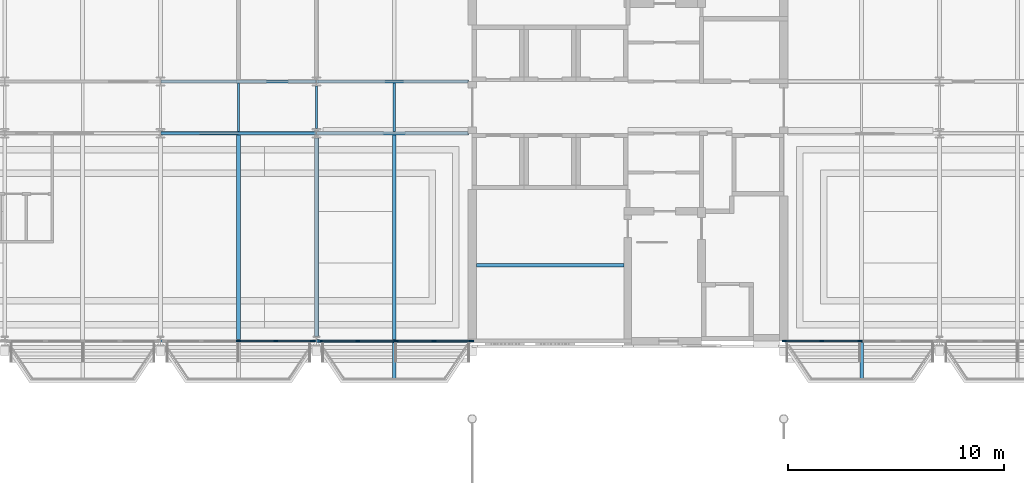
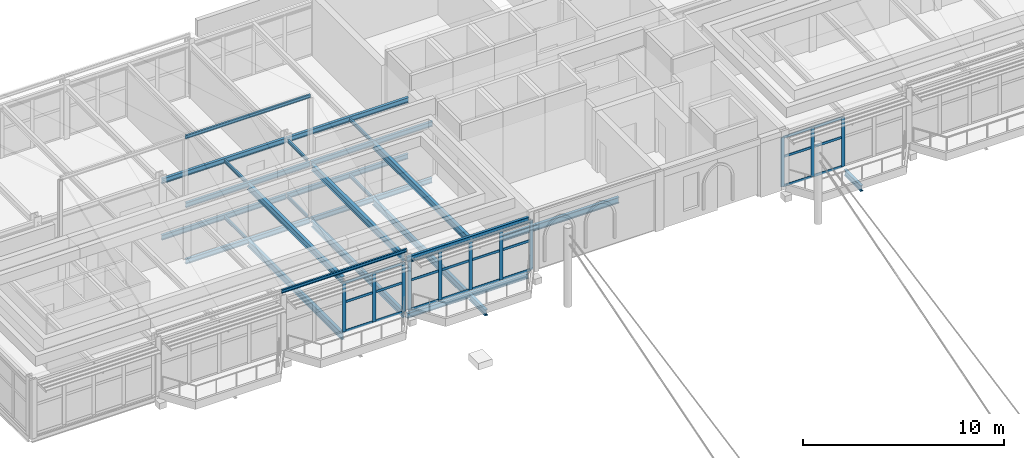
# One storey, part 31 of 68: 35 members, 27 beams, 3 elements without a shape of their own.
"""IFC4 building model written with IfcOpenShell, lengths in metres."""

import ifcopenshell
import ifcopenshell.guid

model = None  # the IFC model being written
_history = None  # IfcOwnerHistory: only IFC2X3 demands one
_inside = {}  # id of a spatial element -> (the spatial element, [elements in it])
_under = {}  # id of a project, library or spatial element -> (it, [spatial elements below it])
_declared = {}  # id of a project -> (the project, [libraries it declares])
_typed = {}  # id of a type object -> (the type object, [elements of that type])
_made_of = {}  # id of a material, layer set ... -> (it, [elements and type objects made of it])


def new_model(schema):
    """Start an empty IFC model of exactly this schema.

    Asked for "IFC4X3", IfcOpenShell would pick the latest addendum, in which some entities
    have other attributes; the version numbers below select the first issue.
    IFC2X3 requires an IfcOwnerHistory on every rooted entity: one is made here for all.
    """
    global model, _history
    if schema == "IFC4X3":
        model = ifcopenshell.file(schema_version=(4, 3, 0, 0))
    else:
        model = ifcopenshell.file(schema=schema)
    _inside.clear()
    _under.clear()
    _declared.clear()
    _typed.clear()
    _made_of.clear()
    _history = None
    if model.schema == "IFC2X3":
        org = make("IfcOrganization", Name="unknown")
        user = make(
            "IfcPersonAndOrganization",
            ThePerson=make("IfcPerson", FamilyName="unknown"),
            TheOrganization=org,
        )
        app = make(
            "IfcApplication",
            ApplicationDeveloper=org,
            Version="unknown",
            ApplicationFullName="unknown",
            ApplicationIdentifier="unknown",
        )
        _history = make(
            "IfcOwnerHistory",
            OwningUser=user,
            OwningApplication=app,
            ChangeAction="ADDED",
            CreationDate=0,
        )
    return model


def make(cls, **values):
    """One entity of the class cls with the attributes given. An attribute that is None is left unset."""
    return model.create_entity(
        cls, **{name: value for name, value in values.items() if value is not None}
    )


def rooted(cls, **values):
    """An entity with a GlobalId (a new one), such as an element, a storey or a relation."""
    return make(cls, GlobalId=ifcopenshell.guid.new(), OwnerHistory=_history, **values)


def si_unit(unit_type, name, prefix=None):
    """IfcSIUnit, for example si_unit("LENGTHUNIT", "METRE", prefix="MILLI")."""
    return make("IfcSIUnit", UnitType=unit_type, Prefix=prefix, Name=name)


def assignment(units):
    """IfcUnitAssignment: the units of a project."""
    return None if units is None else make("IfcUnitAssignment", Units=units)


def point(xyz):
    """IfcCartesianPoint."""
    return None if xyz is None else make("IfcCartesianPoint", Coordinates=xyz)


def direction(xyz):
    """IfcDirection."""
    return None if xyz is None else make("IfcDirection", DirectionRatios=xyz)


def frame(location, z_axis=None, x_axis=None):
    """IfcAxis2Placement3D, a coordinate frame: its origin and axes. An axis left out is left unset."""
    return make(
        "IfcAxis2Placement3D",
        Location=point(location),
        Axis=direction(z_axis),
        RefDirection=direction(x_axis),
    )


def frame_2d(location, x_axis=None):
    """IfcAxis2Placement2D, a coordinate frame in the plane: its origin and x axis."""
    return make(
        "IfcAxis2Placement2D", Location=point(location), RefDirection=direction(x_axis)
    )


def origin():
    """The frame at (0, 0, 0) with its axes left unset."""
    return frame((0.0, 0.0, 0.0))


def origin_2d():
    """The frame at (0, 0) in the plane with its x axis left unset."""
    return frame_2d((0.0, 0.0))


def place(relative_to, where):
    """IfcLocalPlacement: puts the frame where relative to a parent placement (None: the world)."""
    return make(
        "IfcLocalPlacement", PlacementRelTo=relative_to, RelativePlacement=where
    )


def context(
    kind, dimensions, precision=None, world=None, true_north=None, identifier=None
):
    """IfcGeometricRepresentationContext, for example the 3D "Model" context."""
    return make(
        "IfcGeometricRepresentationContext",
        ContextIdentifier=identifier,
        ContextType=kind,
        CoordinateSpaceDimension=dimensions,
        Precision=precision,
        WorldCoordinateSystem=world,
        TrueNorth=true_north,
    )


def subcontext(parent, identifier, kind, view, scale=None):
    """IfcGeometricRepresentationSubContext, for example "Body" below "Model"."""
    return make(
        "IfcGeometricRepresentationSubContext",
        ContextIdentifier=identifier,
        ContextType=kind,
        ParentContext=parent,
        TargetScale=scale,
        TargetView=view,
    )


def project(units=None, contexts=None):
    """IfcProject with its units and contexts."""
    return rooted(
        "IfcProject",
        Name="project",
        RepresentationContexts=contexts,
        UnitsInContext=assignment(units),
    )


def spatial(cls, under=None, at=None, **own):
    """A site, building, storey or space (cls), placed at a placement, below another one or the project."""
    s = rooted(cls, ObjectPlacement=at, **own)
    if under is not None:
        _under.setdefault(under.id(), (under, []))[1].append(s)
    return s


def profile(cls, at=None, kind="AREA", **sizes):
    """A parametric profile (cls). Its sizes go by their IFC names, for example OverallWidth=200.0."""
    return make(cls, ProfileType=kind, Position=at, **sizes)


def rectangle(**sizes):
    """IfcRectangleProfileDef."""
    return profile("IfcRectangleProfileDef", **sizes)


def i_section(**sizes):
    """IfcIShapeProfileDef."""
    return profile("IfcIShapeProfileDef", **sizes)


def extrude(swept, where, along, depth):
    """IfcExtrudedAreaSolid: the profile swept, set in the frame where, extruded along a direction by depth."""
    return make(
        "IfcExtrudedAreaSolid",
        SweptArea=swept,
        Position=where,
        ExtrudedDirection=direction(along),
        Depth=depth,
    )


def shape(context_of_items, identifier, shape_type, items):
    """IfcShapeRepresentation: the items that make up one representation, for example the "Body"."""
    return make(
        "IfcShapeRepresentation",
        ContextOfItems=context_of_items,
        RepresentationIdentifier=identifier,
        RepresentationType=shape_type,
        Items=items,
    )


def material(Name=None, Category=None):
    """IfcMaterial."""
    return make("IfcMaterial", Name=Name, Category=Category)


def material_profile(
    of_material, cross_section, Name=None, Category=None, Priority=None
):
    """IfcMaterialProfile: a cross section and its material."""
    return make(
        "IfcMaterialProfile",
        Name=Name,
        Material=of_material,
        Profile=cross_section,
        Priority=Priority,
        Category=Category,
    )


def profile_set(profiles, Name=None, composite=None):
    """IfcMaterialProfileSet."""
    return make(
        "IfcMaterialProfileSet",
        Name=Name,
        MaterialProfiles=profiles,
        CompositeProfile=composite,
    )


def made_of(thing, what):
    """Note that an element or type object is made of a material, layer set ...; save() writes the relation."""
    if what is not None:
        _made_of.setdefault(what.id(), (what, []))[1].append(thing)
    return thing


def type_object(cls, material=None, **own):
    """A type object (cls), such as IfcWallType, which elements share."""
    return made_of(rooted(cls, **own), material)


def element(
    cls,
    number,
    at=None,
    inside=None,
    cuts=None,
    type_object=None,
    material=None,
    context=None,
    identifier="Body",
    shape_type=None,
    held_by="IfcProductDefinitionShape",
    body=None,
    shapes=None,
    **own,
):
    """One element of the class cls, such as IfcWall. Its Tag is "e" and its number.

    at: its placement. inside: the storey or other place that contains it. cuts: it is an
    opening in that element (IfcRelVoidsElement). A single representation is given by context,
    identifier, shape_type and body (its items); several are given by shapes. held_by: the class
    of the entity that holds the representations. save() writes the other relations.
    """
    e = rooted(cls, Tag="e%d" % number, ObjectPlacement=at, **own)
    if body is not None:
        shapes = [shape(context, identifier, shape_type, body)]
    if shapes is not None:
        e.Representation = make(held_by, Representations=shapes)
    if inside is not None:
        _inside.setdefault(inside.id(), (inside, []))[1].append(e)
    if cuts is not None:
        rooted(
            "IfcRelVoidsElement", RelatingBuildingElement=cuts, RelatedOpeningElement=e
        )
    if type_object is not None:
        _typed.setdefault(type_object.id(), (type_object, []))[1].append(e)
    return made_of(e, material)


def aggregate(whole, parts):
    """IfcRelAggregates: a whole, such as a stair, and the parts it consists of."""
    return rooted("IfcRelAggregates", RelatingObject=whole, RelatedObjects=parts)


def save(model, path):
    """Write the relations noted so far, then the file.

    IfcRelAggregates (storeys below a building ...), IfcRelContainedInSpatialStructure (elements
    in a storey), IfcRelDefinesByType, IfcRelAssociatesMaterial and IfcRelDeclares: one each for
    every whole, place, type object, material and project.
    """
    for whole, parts in _under.values():
        aggregate(whole, parts)
    for where, things in _inside.values():
        rooted(
            "IfcRelContainedInSpatialStructure",
            RelatedElements=things,
            RelatingStructure=where,
        )
    for kind, things in _typed.values():
        rooted("IfcRelDefinesByType", RelatedObjects=things, RelatingType=kind)
    for what, things in _made_of.values():
        rooted("IfcRelAssociatesMaterial", RelatedObjects=things, RelatingMaterial=what)
    for by, libraries in _declared.values():
        rooted("IfcRelDeclares", RelatingContext=by, RelatedDefinitions=libraries)
    model.write(path)


model = new_model("IFC4")

# Units and contexts
model_context = context("Model", 3, precision=1e-05, world=origin(), true_north=direction((0.0, 1.0)))
body_context = subcontext(model_context, "Body", "Model", "MODEL_VIEW")
ifc_project = project(units=[si_unit("LENGTHUNIT", "METRE"), si_unit("AREAUNIT", "SQUARE_METRE"), si_unit("VOLUMEUNIT", "CUBIC_METRE"), si_unit("PLANEANGLEUNIT", "RADIAN"), si_unit("MASSUNIT", "GRAM", prefix="KILO")], contexts=[model_context])

# Site, building, storey
site_placement = place(None, origin())
site = spatial("IfcSite", under=ifc_project, at=site_placement, CompositionType="ELEMENT")
building_placement = place(site_placement, origin())
building = spatial("IfcBuilding", under=site, at=building_placement, Name="Kupolbacken Congress Centre", CompositionType="ELEMENT")
storey_placement = place(building_placement, frame((0.0, 0.0, 25.199951171875)))
storey = spatial("IfcBuildingStorey", under=building, at=storey_placement, Name="L07", CompositionType="ELEMENT", Elevation=25.199951171875)

# Beams
ifc_material_1 = material(Name="Steel S355", Category="steel")
ifc_material_profile_1 = material_profile(ifc_material_1, i_section(OverallWidth=0.10009765625, OverallDepth=0.199951171875, WebThickness=0.005615234375, FlangeThickness=0.008544921875, FilletRadius=0.011962890625, at=origin_2d()), Name="IPE 200")
ifc_profile_set_1 = profile_set([ifc_material_profile_1], Name="Steel S355")
beam_type_1 = type_object("IfcBeamType", Name="B01 beam IPE 200", PredefinedType="BEAM", material=ifc_profile_set_1)
beam_1_placement = place(storey_placement, frame((82.800048828125, 132.074951171875, -0.239990234375), z_axis=(0.0, 1.0, 0.0), x_axis=(-1.0, 0.0, 0.0)))
element("IfcBeam", 1, at=beam_1_placement, inside=storey, type_object=beam_type_1, Name="S/floor/T/L07/S049", PredefinedType="BEAM", context=body_context, shape_type="SweptSolid", body=[
    extrude(i_section(OverallWidth=0.10009765625, OverallDepth=0.199951171875, WebThickness=0.005615234375, FlangeThickness=0.008544921875, FilletRadius=0.011962890625, at=origin_2d()), origin(), (0.0, 0.0, 1.0), 2.25),
])
beam_2_placement = place(storey_placement, frame((86.39990234375, 132.21240234375, -0.239990234375), z_axis=(0.0, 1.0, 0.0), x_axis=(-1.0, 0.0, 0.0)))
element("IfcBeam", 2, at=beam_2_placement, inside=storey, type_object=beam_type_1, Name="S/floor/T/L07/S052", PredefinedType="BEAM", context=body_context, shape_type="SweptSolid", body=[
    extrude(i_section(OverallWidth=0.10009765625, OverallDepth=0.199951171875, WebThickness=0.005615234375, FlangeThickness=0.008544921875, FilletRadius=0.011962890625, at=origin_2d()), origin(), (0.0, 0.0, 1.0), 1.97509765625),
])
for number, where, z_axis, x_axis, name in (
    (3, (90.0, 132.074951171875, -0.239990234375), (0.0, 1.0, 0.0), (-1.0, 0.0, 0.0), "S/floor/T/L07/S055"),
    (4, (82.800048828125, 132.074951171875, 3.18994140625), (0.0, 1.0, 0.0), (-1.0, 0.0, 0.0), "S/floor/T/ROOF/S049"),
):
    element("IfcBeam", number, at=place(storey_placement, frame(where, z_axis=z_axis, x_axis=x_axis)), inside=storey, type_object=beam_type_1, Name=name, PredefinedType="BEAM", context=body_context, shape_type="SweptSolid", body=[
        extrude(i_section(OverallWidth=0.10009765625, OverallDepth=0.199951171875, WebThickness=0.005615234375, FlangeThickness=0.008544921875, FilletRadius=0.011962890625, at=origin_2d()), origin(), (0.0, 0.0, 1.0), 2.25),
    ])
beam_3_placement = place(storey_placement, frame((86.39990234375, 132.21240234375, 3.18994140625), z_axis=(0.0, 1.0, 0.0), x_axis=(-1.0, 0.0, 0.0)))
element("IfcBeam", 5, at=beam_3_placement, inside=storey, type_object=beam_type_1, Name="S/floor/T/ROOF/S052", PredefinedType="BEAM", context=body_context, shape_type="SweptSolid", body=[
    extrude(i_section(OverallWidth=0.10009765625, OverallDepth=0.199951171875, WebThickness=0.005615234375, FlangeThickness=0.008544921875, FilletRadius=0.011962890625, at=origin_2d()), origin(), (0.0, 0.0, 1.0), 1.97509765625),
])
beam_4_placement = place(storey_placement, frame((90.0, 132.074951171875, 3.18994140625), z_axis=(0.0, 1.0, 0.0), x_axis=(-1.0, 0.0, 0.0)))
element("IfcBeam", 6, at=beam_4_placement, inside=storey, type_object=beam_type_1, Name="S/floor/T/ROOF/S055", PredefinedType="BEAM", context=body_context, shape_type="SweptSolid", body=[
    extrude(i_section(OverallWidth=0.10009765625, OverallDepth=0.199951171875, WebThickness=0.005615234375, FlangeThickness=0.008544921875, FilletRadius=0.011962890625, at=origin_2d()), origin(), (0.0, 0.0, 1.0), 2.25),
])
for number, where, z_axis, x_axis, name in (
    (7, (79.199951171875, 122.39990234375, 3.699951171875), (1.0, 0.0, 0.0), (0.0, 1.0, 0.0), "E/T/roof/R1/low1"),
    (8, (79.199951171875, 132.0, 7.27294921875), (1.0, 0.0, 0.0), (0.0, 1.0, 0.0), "E/T/roof/R1/ridge1"),
):
    element("IfcBeam", number, at=place(storey_placement, frame(where, z_axis=z_axis, x_axis=x_axis)), inside=storey, type_object=beam_type_1, Name=name, PredefinedType="BEAM", context=body_context, shape_type="SweptSolid", body=[
        extrude(i_section(OverallWidth=0.10009765625, OverallDepth=0.199951171875, WebThickness=0.005615234375, FlangeThickness=0.008544921875, FilletRadius=0.011962890625, at=origin_2d()), origin(), (0.0, 0.0, 1.0), 7.199951171875),
    ])
ifc_material_2 = material(Name="Steel S355", Category="steel")
ifc_material_profile_2 = material_profile(ifc_material_2, i_section(OverallWidth=0.14990234375, OverallDepth=0.300048828125, WebThickness=0.007080078125, FlangeThickness=0.0107421875, FilletRadius=0.014892578125, at=origin_2d()), Name="IPE 300")
ifc_profile_set_2 = profile_set([ifc_material_profile_2], Name="Steel S355")
beam_type_2 = type_object("IfcBeamType", Name="B04 beam IPE 300", PredefinedType="BEAM", material=ifc_profile_set_2)
beam_5_placement = place(storey_placement, frame((86.410400390625, 122.39990234375, -0.2900390625), z_axis=(1.0, 0.0, 0.0), x_axis=(0.0, 1.0, 0.0)))
element("IfcBeam", 9, at=beam_5_placement, inside=storey, type_object=beam_type_2, Name="S/floor/T/L07/R004", PredefinedType="BEAM", context=body_context, shape_type="SweptSolid", body=[
    extrude(i_section(OverallWidth=0.14990234375, OverallDepth=0.300048828125, WebThickness=0.007080078125, FlangeThickness=0.0107421875, FilletRadius=0.014892578125, at=origin_2d()), origin(), (0.0, 0.0, 1.0), 6.989501953125),
])
beam_6_placement = place(storey_placement, frame((79.21630859375, 132.0, -0.2900390625), z_axis=(1.0, 0.0, 0.0), x_axis=(0.0, 1.0, 0.0)))
element("IfcBeam", 10, at=beam_6_placement, inside=storey, type_object=beam_type_2, Name="S/floor/T/L07/R011", PredefinedType="BEAM", context=body_context, shape_type="SweptSolid", body=[
    extrude(i_section(OverallWidth=0.14990234375, OverallDepth=0.300048828125, WebThickness=0.007080078125, FlangeThickness=0.0107421875, FilletRadius=0.014892578125, at=origin_2d()), origin(), (0.0, 0.0, 1.0), 7.167236328125),
])
beam_7_placement = place(storey_placement, frame((86.41650390625, 132.0, -0.2900390625), z_axis=(1.0, 0.0, 0.0), x_axis=(0.0, 1.0, 0.0)))
element("IfcBeam", 11, at=beam_7_placement, inside=storey, type_object=beam_type_2, Name="S/floor/T/L07/R012", PredefinedType="BEAM", context=body_context, shape_type="SweptSolid", body=[
    extrude(i_section(OverallWidth=0.14990234375, OverallDepth=0.300048828125, WebThickness=0.007080078125, FlangeThickness=0.0107421875, FilletRadius=0.014892578125, at=origin_2d()), origin(), (0.0, 0.0, 1.0), 6.9833984375),
])
beam_8_placement = place(storey_placement, frame((79.21630859375, 134.39990234375, -0.2900390625), z_axis=(1.0, 0.0, 0.0), x_axis=(0.0, 1.0, 0.0)))
element("IfcBeam", 12, at=beam_8_placement, inside=storey, type_object=beam_type_2, Name="S/floor/T/L07/R019", PredefinedType="BEAM", context=body_context, shape_type="SweptSolid", body=[
    extrude(i_section(OverallWidth=0.14990234375, OverallDepth=0.300048828125, WebThickness=0.007080078125, FlangeThickness=0.0107421875, FilletRadius=0.014892578125, at=origin_2d()), origin(), (0.0, 0.0, 1.0), 7.167236328125),
])
beam_9_placement = place(storey_placement, frame((86.41650390625, 134.39990234375, -0.2900390625), z_axis=(1.0, 0.0, 0.0), x_axis=(0.0, 1.0, 0.0)))
element("IfcBeam", 13, at=beam_9_placement, inside=storey, type_object=beam_type_2, Name="S/floor/T/L07/R020", PredefinedType="BEAM", context=body_context, shape_type="SweptSolid", body=[
    extrude(i_section(OverallWidth=0.14990234375, OverallDepth=0.300048828125, WebThickness=0.007080078125, FlangeThickness=0.0107421875, FilletRadius=0.014892578125, at=origin_2d()), origin(), (0.0, 0.0, 1.0), 6.9833984375),
])
beam_10_placement = place(storey_placement, frame((86.410400390625, 122.39990234375, 3.14013671875), z_axis=(1.0, 0.0, 0.0), x_axis=(0.0, 1.0, 0.0)))
element("IfcBeam", 14, at=beam_10_placement, inside=storey, type_object=beam_type_2, Name="S/floor/T/ROOF/R004", PredefinedType="BEAM", context=body_context, shape_type="SweptSolid", body=[
    extrude(i_section(OverallWidth=0.14990234375, OverallDepth=0.300048828125, WebThickness=0.007080078125, FlangeThickness=0.0107421875, FilletRadius=0.014892578125, at=origin_2d()), origin(), (0.0, 0.0, 1.0), 7.0146484375),
])
beam_11_placement = place(storey_placement, frame((79.21630859375, 132.0, 3.14013671875), z_axis=(1.0, 0.0, 0.0), x_axis=(0.0, 1.0, 0.0)))
element("IfcBeam", 15, at=beam_11_placement, inside=storey, type_object=beam_type_2, Name="S/floor/T/ROOF/R011", PredefinedType="BEAM", context=body_context, shape_type="SweptSolid", body=[
    extrude(i_section(OverallWidth=0.14990234375, OverallDepth=0.300048828125, WebThickness=0.007080078125, FlangeThickness=0.0107421875, FilletRadius=0.014892578125, at=origin_2d()), origin(), (0.0, 0.0, 1.0), 7.167236328125),
])
beam_12_placement = place(storey_placement, frame((86.41650390625, 132.0, 3.14013671875), z_axis=(1.0, 0.0, 0.0), x_axis=(0.0, 1.0, 0.0)))
element("IfcBeam", 16, at=beam_12_placement, inside=storey, type_object=beam_type_2, Name="S/floor/T/ROOF/R012", PredefinedType="BEAM", context=body_context, shape_type="SweptSolid", body=[
    extrude(i_section(OverallWidth=0.14990234375, OverallDepth=0.300048828125, WebThickness=0.007080078125, FlangeThickness=0.0107421875, FilletRadius=0.014892578125, at=origin_2d()), origin(), (0.0, 0.0, 1.0), 7.008544921875),
])
beam_13_placement = place(storey_placement, frame((79.21630859375, 134.39990234375, 3.14013671875), z_axis=(1.0, 0.0, 0.0), x_axis=(0.0, 1.0, 0.0)))
element("IfcBeam", 17, at=beam_13_placement, inside=storey, type_object=beam_type_2, Name="S/floor/T/ROOF/R019", PredefinedType="BEAM", context=body_context, shape_type="SweptSolid", body=[
    extrude(i_section(OverallWidth=0.14990234375, OverallDepth=0.300048828125, WebThickness=0.007080078125, FlangeThickness=0.0107421875, FilletRadius=0.014892578125, at=origin_2d()), origin(), (0.0, 0.0, 1.0), 7.167236328125),
])
beam_14_placement = place(storey_placement, frame((86.41650390625, 134.39990234375, 3.14013671875), z_axis=(1.0, 0.0, 0.0), x_axis=(0.0, 1.0, 0.0)))
element("IfcBeam", 18, at=beam_14_placement, inside=storey, type_object=beam_type_2, Name="S/floor/T/ROOF/R020", PredefinedType="BEAM", context=body_context, shape_type="SweptSolid", body=[
    extrude(i_section(OverallWidth=0.14990234375, OverallDepth=0.300048828125, WebThickness=0.007080078125, FlangeThickness=0.0107421875, FilletRadius=0.014892578125, at=origin_2d()), origin(), (0.0, 0.0, 1.0), 7.008544921875),
])
ifc_material_3 = material(Name="Steel S355", Category="steel")
ifc_material_profile_3 = material_profile(ifc_material_3, i_section(OverallWidth=0.169921875, OverallDepth=0.360107421875, WebThickness=0.008056640625, FlangeThickness=0.0126953125, FilletRadius=0.01806640625, at=origin_2d()), Name="IPE 360")
ifc_profile_set_3 = profile_set([ifc_material_profile_3], Name="Steel S355")
beam_type_3 = type_object("IfcBeamType", Name="B06 beam IPE 360", PredefinedType="BEAM", material=ifc_profile_set_3)
beam_15_placement = place(storey_placement, frame((93.800048828125, 125.89990234375, -0.320068359375), z_axis=(1.0, 0.0, 0.0), x_axis=(0.0, 1.0, 0.0)))
element("IfcBeam", 19, at=beam_15_placement, inside=storey, type_object=beam_type_3, Name="S/floor/T/L07/RB125", PredefinedType="BEAM", context=body_context, shape_type="SweptSolid", body=[
    extrude(i_section(OverallWidth=0.169921875, OverallDepth=0.360107421875, WebThickness=0.008056640625, FlangeThickness=0.0126953125, FilletRadius=0.01806640625, at=origin_2d()), origin(), (0.0, 0.0, 1.0), 6.824951171875),
])
for number, where, z_axis, x_axis, name in (
    (20, (90.0, 122.324951171875, -0.320068359375), (0.0, -1.0, 0.0), (1.0, 0.0, 0.0), "S/floor/T/L07/C086"),
    (21, (111.60009765625, 122.324951171875, -0.320068359375), (0.0, -1.0, 0.0), (1.0, 0.0, 0.0), "S/floor/T/L07/C089"),
):
    element("IfcBeam", number, at=place(storey_placement, frame(where, z_axis=z_axis, x_axis=x_axis)), inside=storey, type_object=beam_type_3, Name=name, PredefinedType="BEAM", context=body_context, shape_type="SweptSolid", body=[
        extrude(i_section(OverallWidth=0.169921875, OverallDepth=0.360107421875, WebThickness=0.008056640625, FlangeThickness=0.0126953125, FilletRadius=0.01806640625, at=origin_2d()), origin(), (0.0, 0.0, 1.0), 1.6650390625),
    ])
ifc_material_4 = material(Name="Steel S355", Category="steel")
ifc_material_profile_4 = material_profile(ifc_material_4, i_section(OverallWidth=0.179931640625, OverallDepth=0.39990234375, WebThickness=0.008544921875, FlangeThickness=0.013427734375, FilletRadius=0.02099609375, at=origin_2d()), Name="IPE 400")
ifc_profile_set_4 = profile_set([ifc_material_profile_4], Name="Steel S355")
beam_type_4 = type_object("IfcBeamType", Name="B07 beam IPE 400", PredefinedType="BEAM", material=ifc_profile_set_4)
beam_16_placement = place(storey_placement, frame((82.800048828125, 122.47509765625, -0.33984375), z_axis=(0.0, 1.0, 0.0), x_axis=(-1.0, 0.0, 0.0)))
element("IfcBeam", 22, at=beam_16_placement, inside=storey, type_object=beam_type_4, Name="S/floor/T/L07/S048", PredefinedType="BEAM", context=body_context, shape_type="SweptSolid", body=[
    extrude(i_section(OverallWidth=0.179931640625, OverallDepth=0.39990234375, WebThickness=0.008544921875, FlangeThickness=0.013427734375, FilletRadius=0.02099609375, at=origin_2d()), origin(), (0.0, 0.0, 1.0), 9.449951171875),
])
beam_17_placement = place(storey_placement, frame((86.39990234375, 122.615966796875, -0.33984375), z_axis=(0.0, 1.0, 0.0), x_axis=(-1.0, 0.0, 0.0)))
element("IfcBeam", 23, at=beam_17_placement, inside=storey, type_object=beam_type_4, Name="S/floor/T/L07/S051", PredefinedType="BEAM", context=body_context, shape_type="SweptSolid", body=[
    extrude(i_section(OverallWidth=0.179931640625, OverallDepth=0.39990234375, WebThickness=0.008544921875, FlangeThickness=0.013427734375, FilletRadius=0.02099609375, at=origin_2d()), origin(), (0.0, 0.0, 1.0), 9.171630859375),
])
for number, where, z_axis, x_axis, name in (
    (24, (90.0, 122.47509765625, -0.33984375), (0.0, 1.0, 0.0), (-1.0, 0.0, 0.0), "S/floor/T/L07/S054"),
    (25, (82.800048828125, 122.47509765625, 3.090087890625), (0.0, 1.0, 0.0), (-1.0, 0.0, 0.0), "S/floor/T/ROOF/S048"),
):
    element("IfcBeam", number, at=place(storey_placement, frame(where, z_axis=z_axis, x_axis=x_axis)), inside=storey, type_object=beam_type_4, Name=name, PredefinedType="BEAM", context=body_context, shape_type="SweptSolid", body=[
        extrude(i_section(OverallWidth=0.179931640625, OverallDepth=0.39990234375, WebThickness=0.008544921875, FlangeThickness=0.013427734375, FilletRadius=0.02099609375, at=origin_2d()), origin(), (0.0, 0.0, 1.0), 9.449951171875),
    ])
beam_18_placement = place(storey_placement, frame((86.39990234375, 122.615966796875, 3.090087890625), z_axis=(0.0, 1.0, 0.0), x_axis=(-1.0, 0.0, 0.0)))
element("IfcBeam", 26, at=beam_18_placement, inside=storey, type_object=beam_type_4, Name="S/floor/T/ROOF/S051", PredefinedType="BEAM", context=body_context, shape_type="SweptSolid", body=[
    extrude(i_section(OverallWidth=0.179931640625, OverallDepth=0.39990234375, WebThickness=0.008544921875, FlangeThickness=0.013427734375, FilletRadius=0.02099609375, at=origin_2d()), origin(), (0.0, 0.0, 1.0), 9.171630859375),
])
beam_19_placement = place(storey_placement, frame((90.0, 122.47509765625, 3.090087890625), z_axis=(0.0, 1.0, 0.0), x_axis=(-1.0, 0.0, 0.0)))
element("IfcBeam", 27, at=beam_19_placement, inside=storey, type_object=beam_type_4, Name="S/floor/T/ROOF/S054", PredefinedType="BEAM", context=body_context, shape_type="SweptSolid", body=[
    extrude(i_section(OverallWidth=0.179931640625, OverallDepth=0.39990234375, WebThickness=0.008544921875, FlangeThickness=0.013427734375, FilletRadius=0.02099609375, at=origin_2d()), origin(), (0.0, 0.0, 1.0), 9.449951171875),
])

# Curtain wall, members
ifc_material_5 = material(Name="Aluminium mullion-transom frame with glass", Category="aluminium")
curtain_wall_type = type_object("IfcCurtainWallType", Name="CW1 curtain wall 7200x3600", PredefinedType="NOTDEFINED", material=ifc_material_5)
curtain_wall_1_placement = place(storey_placement, origin())
curtain_wall_1 = element("IfcCurtainWall", 28, at=curtain_wall_1_placement, inside=storey, type_object=curtain_wall_type, Name="E/T/S/L07/114/g0", PredefinedType="NOTDEFINED")
ifc_material_6 = material(Name="Aluminium alloy", Category="aluminium")
ifc_material_profile_5 = material_profile(ifc_material_6, rectangle(XDim=0.050048828125, YDim=0.199951171875, at=origin_2d()), Name="50 x 200")
ifc_profile_set_5 = profile_set([ifc_material_profile_5], Name="Aluminium alloy")
member_type_1 = type_object("IfcMemberType", Name="MU2 mullion 50x200", PredefinedType="MULLION", material=ifc_profile_set_5)
member_1_placement = place(storey_placement, frame((82.800048828125, 122.39990234375, 0.0), z_axis=(0.0, 0.0, 1.0), x_axis=(0.0, 1.0, 0.0)))
member_1 = element("IfcMember", 29, at=member_1_placement, type_object=member_type_1, Name="CW1 mullion 3", PredefinedType="MULLION", context=body_context, shape_type="SweptSolid", body=[
    extrude(rectangle(XDim=0.050048828125, YDim=0.199951171875, at=origin_2d()), origin(), (0.0, 0.0, 1.0), 2.989990234375),
])
member_2_placement = place(storey_placement, frame((84.523193359375, 122.39990234375, 0.0), z_axis=(0.0, 0.0, 1.0), x_axis=(0.0, 1.0, 0.0)))
member_2 = element("IfcMember", 30, at=member_2_placement, type_object=member_type_1, Name="CW1 mullion 4", PredefinedType="MULLION", context=body_context, shape_type="SweptSolid", body=[
    extrude(rectangle(XDim=0.050048828125, YDim=0.199951171875, at=origin_2d()), origin(), (0.0, 0.0, 1.0), 2.989990234375),
])
member_3_placement = place(storey_placement, frame((86.221435546875, 122.39990234375, 0.0), z_axis=(0.0, 0.0, 1.0), x_axis=(0.0, 1.0, 0.0)))
member_3 = element("IfcMember", 31, at=member_3_placement, type_object=member_type_1, Name="CW1 mullion 5", PredefinedType="MULLION", context=body_context, shape_type="SweptSolid", body=[
    extrude(rectangle(XDim=0.050048828125, YDim=0.199951171875, at=origin_2d()), origin(), (0.0, 0.0, 1.0), 2.989990234375),
])

curtain_wall_2_placement = place(storey_placement, origin())
curtain_wall_2 = element("IfcCurtainWall", 32, at=curtain_wall_2_placement, inside=storey, type_object=curtain_wall_type, Name="E/T/S/L07/115/g0", PredefinedType="NOTDEFINED")
member_4_placement = place(storey_placement, frame((86.57861328125, 122.39990234375, 0.0), z_axis=(0.0, 0.0, 1.0), x_axis=(0.0, 1.0, 0.0)))
member_4 = element("IfcMember", 33, at=member_4_placement, type_object=member_type_1, Name="CW1 mullion 1", PredefinedType="MULLION", context=body_context, shape_type="SweptSolid", body=[
    extrude(rectangle(XDim=0.050048828125, YDim=0.199951171875, at=origin_2d()), origin(), (0.0, 0.0, 1.0), 2.989990234375),
])
member_5_placement = place(storey_placement, frame((88.315185546875, 122.39990234375, 0.0), z_axis=(0.0, 0.0, 1.0), x_axis=(0.0, 1.0, 0.0)))
member_5 = element("IfcMember", 34, at=member_5_placement, type_object=member_type_1, Name="CW1 mullion 2", PredefinedType="MULLION", context=body_context, shape_type="SweptSolid", body=[
    extrude(rectangle(XDim=0.050048828125, YDim=0.199951171875, at=origin_2d()), origin(), (0.0, 0.0, 1.0), 2.989990234375),
])
member_6_placement = place(storey_placement, frame((90.07666015625, 122.39990234375, 0.0), z_axis=(0.0, 0.0, 1.0), x_axis=(0.0, 1.0, 0.0)))
member_6 = element("IfcMember", 35, at=member_6_placement, type_object=member_type_1, Name="CW1 mullion 3", PredefinedType="MULLION", context=body_context, shape_type="SweptSolid", body=[
    extrude(rectangle(XDim=0.050048828125, YDim=0.199951171875, at=origin_2d()), origin(), (0.0, 0.0, 1.0), 2.989990234375),
])
member_7_placement = place(storey_placement, frame((91.83837890625, 122.39990234375, 0.0), z_axis=(0.0, 0.0, 1.0), x_axis=(0.0, 1.0, 0.0)))
member_7 = element("IfcMember", 36, at=member_7_placement, type_object=member_type_1, Name="CW1 mullion 4", PredefinedType="MULLION", context=body_context, shape_type="SweptSolid", body=[
    extrude(rectangle(XDim=0.050048828125, YDim=0.199951171875, at=origin_2d()), origin(), (0.0, 0.0, 1.0), 2.989990234375),
])
member_8_placement = place(storey_placement, frame((93.574951171875, 122.39990234375, 0.0), z_axis=(0.0, 0.0, 1.0), x_axis=(0.0, 1.0, 0.0)))
member_8 = element("IfcMember", 37, at=member_8_placement, type_object=member_type_1, Name="CW1 mullion 5", PredefinedType="MULLION", context=body_context, shape_type="SweptSolid", body=[
    extrude(rectangle(XDim=0.050048828125, YDim=0.199951171875, at=origin_2d()), origin(), (0.0, 0.0, 1.0), 2.989990234375),
])

curtain_wall_3_placement = place(storey_placement, origin())
curtain_wall_3 = element("IfcCurtainWall", 38, at=curtain_wall_3_placement, inside=storey, type_object=curtain_wall_type, Name="E/T/S/L07/117/g0", PredefinedType="NOTDEFINED")
member_9_placement = place(storey_placement, frame((108.02490234375, 122.39990234375, 0.0), z_axis=(0.0, 0.0, 1.0), x_axis=(0.0, 1.0, 0.0)))
member_9 = element("IfcMember", 39, at=member_9_placement, type_object=member_type_1, Name="CW1 mullion 1", PredefinedType="MULLION", context=body_context, shape_type="SweptSolid", body=[
    extrude(rectangle(XDim=0.050048828125, YDim=0.199951171875, at=origin_2d()), origin(), (0.0, 0.0, 1.0), 2.989990234375),
])
member_10_placement = place(storey_placement, frame((109.76171875, 122.39990234375, 0.0), z_axis=(0.0, 0.0, 1.0), x_axis=(0.0, 1.0, 0.0)))
member_10 = element("IfcMember", 40, at=member_10_placement, type_object=member_type_1, Name="CW1 mullion 2", PredefinedType="MULLION", context=body_context, shape_type="SweptSolid", body=[
    extrude(rectangle(XDim=0.050048828125, YDim=0.199951171875, at=origin_2d()), origin(), (0.0, 0.0, 1.0), 2.989990234375),
])
member_11_placement = place(storey_placement, frame((111.523193359375, 122.39990234375, 0.0), z_axis=(0.0, 0.0, 1.0), x_axis=(0.0, 1.0, 0.0)))
member_11 = element("IfcMember", 41, at=member_11_placement, type_object=member_type_1, Name="CW1 mullion 3", PredefinedType="MULLION", context=body_context, shape_type="SweptSolid", body=[
    extrude(rectangle(XDim=0.050048828125, YDim=0.199951171875, at=origin_2d()), origin(), (0.0, 0.0, 1.0), 2.989990234375),
])

# Member
ifc_material_7 = material(Name="Aluminium alloy", Category="aluminium")
ifc_material_profile_6 = material_profile(ifc_material_7, rectangle(XDim=0.050048828125, YDim=0.14990234375, at=origin_2d()), Name="50 x 150")
ifc_profile_set_6 = profile_set([ifc_material_profile_6], Name="Aluminium alloy")
member_type_2 = type_object("IfcMemberType", Name="TR2 transom 50x150", PredefinedType="MULLION", material=ifc_profile_set_6)
member_12_placement = place(storey_placement, frame((82.824951171875, 122.39990234375, 0.025146484375), z_axis=(1.0, 0.0, 0.0), x_axis=(0.0, 1.0, 0.0)))
member_12 = element("IfcMember", 42, at=member_12_placement, type_object=member_type_2, Name="CW1 transom 3.1", PredefinedType="MULLION", context=body_context, shape_type="SweptSolid", body=[
    extrude(rectangle(XDim=0.050048828125, YDim=0.14990234375, at=origin_2d()), origin(), (0.0, 0.0, 1.0), 1.67333984375),
])

member_13_placement = place(storey_placement, frame((82.824951171875, 122.39990234375, 1.800048828125), z_axis=(1.0, 0.0, 0.0), x_axis=(0.0, 1.0, 0.0)))
member_13 = element("IfcMember", 43, at=member_13_placement, type_object=member_type_2, Name="CW1 transom 3.2", PredefinedType="MULLION", context=body_context, shape_type="SweptSolid", body=[
    extrude(rectangle(XDim=0.050048828125, YDim=0.14990234375, at=origin_2d()), origin(), (0.0, 0.0, 1.0), 1.67333984375),
])

member_14_placement = place(storey_placement, frame((82.824951171875, 122.39990234375, 2.965087890625), z_axis=(1.0, 0.0, 0.0), x_axis=(0.0, 1.0, 0.0)))
member_14 = element("IfcMember", 44, at=member_14_placement, type_object=member_type_2, Name="CW1 transom 3.3", PredefinedType="MULLION", context=body_context, shape_type="SweptSolid", body=[
    extrude(rectangle(XDim=0.050048828125, YDim=0.14990234375, at=origin_2d()), origin(), (0.0, 0.0, 1.0), 1.67333984375),
])

member_15_placement = place(storey_placement, frame((84.54833984375, 122.39990234375, 0.025146484375), z_axis=(1.0, 0.0, 0.0), x_axis=(0.0, 1.0, 0.0)))
member_15 = element("IfcMember", 45, at=member_15_placement, type_object=member_type_2, Name="CW1 transom 4.1", PredefinedType="MULLION", context=body_context, shape_type="SweptSolid", body=[
    extrude(rectangle(XDim=0.050048828125, YDim=0.14990234375, at=origin_2d()), origin(), (0.0, 0.0, 1.0), 1.648193359375),
])

member_16_placement = place(storey_placement, frame((84.54833984375, 122.39990234375, 1.800048828125), z_axis=(1.0, 0.0, 0.0), x_axis=(0.0, 1.0, 0.0)))
member_16 = element("IfcMember", 46, at=member_16_placement, type_object=member_type_2, Name="CW1 transom 4.2", PredefinedType="MULLION", context=body_context, shape_type="SweptSolid", body=[
    extrude(rectangle(XDim=0.050048828125, YDim=0.14990234375, at=origin_2d()), origin(), (0.0, 0.0, 1.0), 1.648193359375),
])

member_17_placement = place(storey_placement, frame((84.54833984375, 122.39990234375, 2.965087890625), z_axis=(1.0, 0.0, 0.0), x_axis=(0.0, 1.0, 0.0)))
member_17 = element("IfcMember", 47, at=member_17_placement, type_object=member_type_2, Name="CW1 transom 4.3", PredefinedType="MULLION", context=body_context, shape_type="SweptSolid", body=[
    extrude(rectangle(XDim=0.050048828125, YDim=0.14990234375, at=origin_2d()), origin(), (0.0, 0.0, 1.0), 1.648193359375),
])

aggregate(curtain_wall_1, [member_1, member_2, member_3, member_12, member_13, member_14, member_15, member_16, member_17])

member_18_placement = place(storey_placement, frame((86.603515625, 122.39990234375, 0.025146484375), z_axis=(1.0, 0.0, 0.0), x_axis=(0.0, 1.0, 0.0)))
member_18 = element("IfcMember", 48, at=member_18_placement, type_object=member_type_2, Name="CW1 transom 1.1", PredefinedType="MULLION", context=body_context, shape_type="SweptSolid", body=[
    extrude(rectangle(XDim=0.050048828125, YDim=0.14990234375, at=origin_2d()), origin(), (0.0, 0.0, 1.0), 1.6865234375),
])

member_19_placement = place(storey_placement, frame((86.603515625, 122.39990234375, 1.800048828125), z_axis=(1.0, 0.0, 0.0), x_axis=(0.0, 1.0, 0.0)))
member_19 = element("IfcMember", 49, at=member_19_placement, type_object=member_type_2, Name="CW1 transom 1.2", PredefinedType="MULLION", context=body_context, shape_type="SweptSolid", body=[
    extrude(rectangle(XDim=0.050048828125, YDim=0.14990234375, at=origin_2d()), origin(), (0.0, 0.0, 1.0), 1.6865234375),
])

member_20_placement = place(storey_placement, frame((86.603515625, 122.39990234375, 2.965087890625), z_axis=(1.0, 0.0, 0.0), x_axis=(0.0, 1.0, 0.0)))
member_20 = element("IfcMember", 50, at=member_20_placement, type_object=member_type_2, Name="CW1 transom 1.3", PredefinedType="MULLION", context=body_context, shape_type="SweptSolid", body=[
    extrude(rectangle(XDim=0.050048828125, YDim=0.14990234375, at=origin_2d()), origin(), (0.0, 0.0, 1.0), 1.6865234375),
])

member_21_placement = place(storey_placement, frame((88.340087890625, 122.39990234375, 0.025146484375), z_axis=(1.0, 0.0, 0.0), x_axis=(0.0, 1.0, 0.0)))
member_21 = element("IfcMember", 51, at=member_21_placement, type_object=member_type_2, Name="CW1 transom 2.1", PredefinedType="MULLION", context=body_context, shape_type="SweptSolid", body=[
    extrude(rectangle(XDim=0.050048828125, YDim=0.14990234375, at=origin_2d()), origin(), (0.0, 0.0, 1.0), 1.711669921875),
])

member_22_placement = place(storey_placement, frame((88.340087890625, 122.39990234375, 1.800048828125), z_axis=(1.0, 0.0, 0.0), x_axis=(0.0, 1.0, 0.0)))
member_22 = element("IfcMember", 52, at=member_22_placement, type_object=member_type_2, Name="CW1 transom 2.2", PredefinedType="MULLION", context=body_context, shape_type="SweptSolid", body=[
    extrude(rectangle(XDim=0.050048828125, YDim=0.14990234375, at=origin_2d()), origin(), (0.0, 0.0, 1.0), 1.711669921875),
])

member_23_placement = place(storey_placement, frame((88.340087890625, 122.39990234375, 2.965087890625), z_axis=(1.0, 0.0, 0.0), x_axis=(0.0, 1.0, 0.0)))
member_23 = element("IfcMember", 53, at=member_23_placement, type_object=member_type_2, Name="CW1 transom 2.3", PredefinedType="MULLION", context=body_context, shape_type="SweptSolid", body=[
    extrude(rectangle(XDim=0.050048828125, YDim=0.14990234375, at=origin_2d()), origin(), (0.0, 0.0, 1.0), 1.711669921875),
])

member_24_placement = place(storey_placement, frame((90.101806640625, 122.39990234375, 0.025146484375), z_axis=(1.0, 0.0, 0.0), x_axis=(0.0, 1.0, 0.0)))
member_24 = element("IfcMember", 54, at=member_24_placement, type_object=member_type_2, Name="CW1 transom 3.1", PredefinedType="MULLION", context=body_context, shape_type="SweptSolid", body=[
    extrude(rectangle(XDim=0.050048828125, YDim=0.14990234375, at=origin_2d()), origin(), (0.0, 0.0, 1.0), 1.711669921875),
])

member_25_placement = place(storey_placement, frame((90.101806640625, 122.39990234375, 1.800048828125), z_axis=(1.0, 0.0, 0.0), x_axis=(0.0, 1.0, 0.0)))
member_25 = element("IfcMember", 55, at=member_25_placement, type_object=member_type_2, Name="CW1 transom 3.2", PredefinedType="MULLION", context=body_context, shape_type="SweptSolid", body=[
    extrude(rectangle(XDim=0.050048828125, YDim=0.14990234375, at=origin_2d()), origin(), (0.0, 0.0, 1.0), 1.711669921875),
])

member_26_placement = place(storey_placement, frame((90.101806640625, 122.39990234375, 2.965087890625), z_axis=(1.0, 0.0, 0.0), x_axis=(0.0, 1.0, 0.0)))
member_26 = element("IfcMember", 56, at=member_26_placement, type_object=member_type_2, Name="CW1 transom 3.3", PredefinedType="MULLION", context=body_context, shape_type="SweptSolid", body=[
    extrude(rectangle(XDim=0.050048828125, YDim=0.14990234375, at=origin_2d()), origin(), (0.0, 0.0, 1.0), 1.711669921875),
])

member_27_placement = place(storey_placement, frame((91.86328125, 122.39990234375, 0.025146484375), z_axis=(1.0, 0.0, 0.0), x_axis=(0.0, 1.0, 0.0)))
member_27 = element("IfcMember", 57, at=member_27_placement, type_object=member_type_2, Name="CW1 transom 4.1", PredefinedType="MULLION", context=body_context, shape_type="SweptSolid", body=[
    extrude(rectangle(XDim=0.050048828125, YDim=0.14990234375, at=origin_2d()), origin(), (0.0, 0.0, 1.0), 1.686767578125),
])

member_28_placement = place(storey_placement, frame((91.86328125, 122.39990234375, 1.800048828125), z_axis=(1.0, 0.0, 0.0), x_axis=(0.0, 1.0, 0.0)))
member_28 = element("IfcMember", 58, at=member_28_placement, type_object=member_type_2, Name="CW1 transom 4.2", PredefinedType="MULLION", context=body_context, shape_type="SweptSolid", body=[
    extrude(rectangle(XDim=0.050048828125, YDim=0.14990234375, at=origin_2d()), origin(), (0.0, 0.0, 1.0), 1.686767578125),
])

member_29_placement = place(storey_placement, frame((91.86328125, 122.39990234375, 2.965087890625), z_axis=(1.0, 0.0, 0.0), x_axis=(0.0, 1.0, 0.0)))
member_29 = element("IfcMember", 59, at=member_29_placement, type_object=member_type_2, Name="CW1 transom 4.3", PredefinedType="MULLION", context=body_context, shape_type="SweptSolid", body=[
    extrude(rectangle(XDim=0.050048828125, YDim=0.14990234375, at=origin_2d()), origin(), (0.0, 0.0, 1.0), 1.686767578125),
])

aggregate(curtain_wall_2, [member_4, member_5, member_6, member_7, member_8, member_18, member_19, member_20, member_21, member_22, member_23, member_24, member_25, member_26, member_27, member_28, member_29])

member_30_placement = place(storey_placement, frame((108.050048828125, 122.39990234375, 0.025146484375), z_axis=(1.0, 0.0, 0.0), x_axis=(0.0, 1.0, 0.0)))
member_30 = element("IfcMember", 60, at=member_30_placement, type_object=member_type_2, Name="CW1 transom 1.1", PredefinedType="MULLION", context=body_context, shape_type="SweptSolid", body=[
    extrude(rectangle(XDim=0.050048828125, YDim=0.14990234375, at=origin_2d()), origin(), (0.0, 0.0, 1.0), 1.6865234375),
])

member_31_placement = place(storey_placement, frame((108.050048828125, 122.39990234375, 1.800048828125), z_axis=(1.0, 0.0, 0.0), x_axis=(0.0, 1.0, 0.0)))
member_31 = element("IfcMember", 61, at=member_31_placement, type_object=member_type_2, Name="CW1 transom 1.2", PredefinedType="MULLION", context=body_context, shape_type="SweptSolid", body=[
    extrude(rectangle(XDim=0.050048828125, YDim=0.14990234375, at=origin_2d()), origin(), (0.0, 0.0, 1.0), 1.6865234375),
])

member_32_placement = place(storey_placement, frame((108.050048828125, 122.39990234375, 2.965087890625), z_axis=(1.0, 0.0, 0.0), x_axis=(0.0, 1.0, 0.0)))
member_32 = element("IfcMember", 62, at=member_32_placement, type_object=member_type_2, Name="CW1 transom 1.3", PredefinedType="MULLION", context=body_context, shape_type="SweptSolid", body=[
    extrude(rectangle(XDim=0.050048828125, YDim=0.14990234375, at=origin_2d()), origin(), (0.0, 0.0, 1.0), 1.6865234375),
])

member_33_placement = place(storey_placement, frame((109.78662109375, 122.39990234375, 0.025146484375), z_axis=(1.0, 0.0, 0.0), x_axis=(0.0, 1.0, 0.0)))
member_33 = element("IfcMember", 63, at=member_33_placement, type_object=member_type_2, Name="CW1 transom 2.1", PredefinedType="MULLION", context=body_context, shape_type="SweptSolid", body=[
    extrude(rectangle(XDim=0.050048828125, YDim=0.14990234375, at=origin_2d()), origin(), (0.0, 0.0, 1.0), 1.711669921875),
])

member_34_placement = place(storey_placement, frame((109.78662109375, 122.39990234375, 1.800048828125), z_axis=(1.0, 0.0, 0.0), x_axis=(0.0, 1.0, 0.0)))
member_34 = element("IfcMember", 64, at=member_34_placement, type_object=member_type_2, Name="CW1 transom 2.2", PredefinedType="MULLION", context=body_context, shape_type="SweptSolid", body=[
    extrude(rectangle(XDim=0.050048828125, YDim=0.14990234375, at=origin_2d()), origin(), (0.0, 0.0, 1.0), 1.711669921875),
])

member_35_placement = place(storey_placement, frame((109.78662109375, 122.39990234375, 2.965087890625), z_axis=(1.0, 0.0, 0.0), x_axis=(0.0, 1.0, 0.0)))
member_35 = element("IfcMember", 65, at=member_35_placement, type_object=member_type_2, Name="CW1 transom 2.3", PredefinedType="MULLION", context=body_context, shape_type="SweptSolid", body=[
    extrude(rectangle(XDim=0.050048828125, YDim=0.14990234375, at=origin_2d()), origin(), (0.0, 0.0, 1.0), 1.711669921875),
])

aggregate(curtain_wall_3, [member_9, member_10, member_11, member_30, member_31, member_32, member_33, member_34, member_35])

save(model, "model.ifc")
